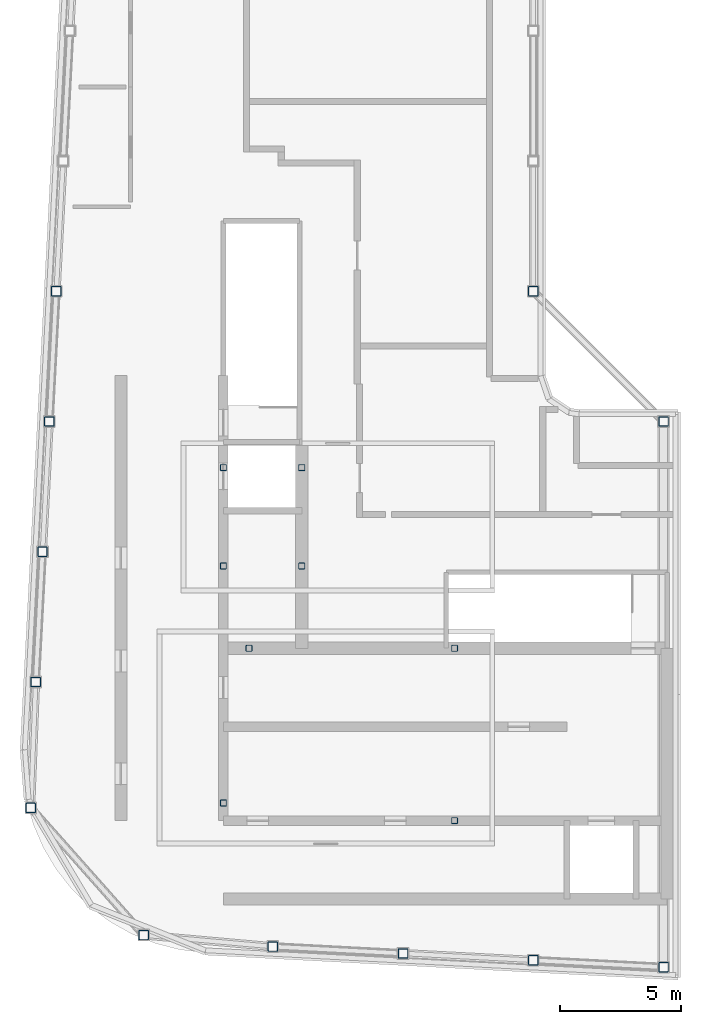
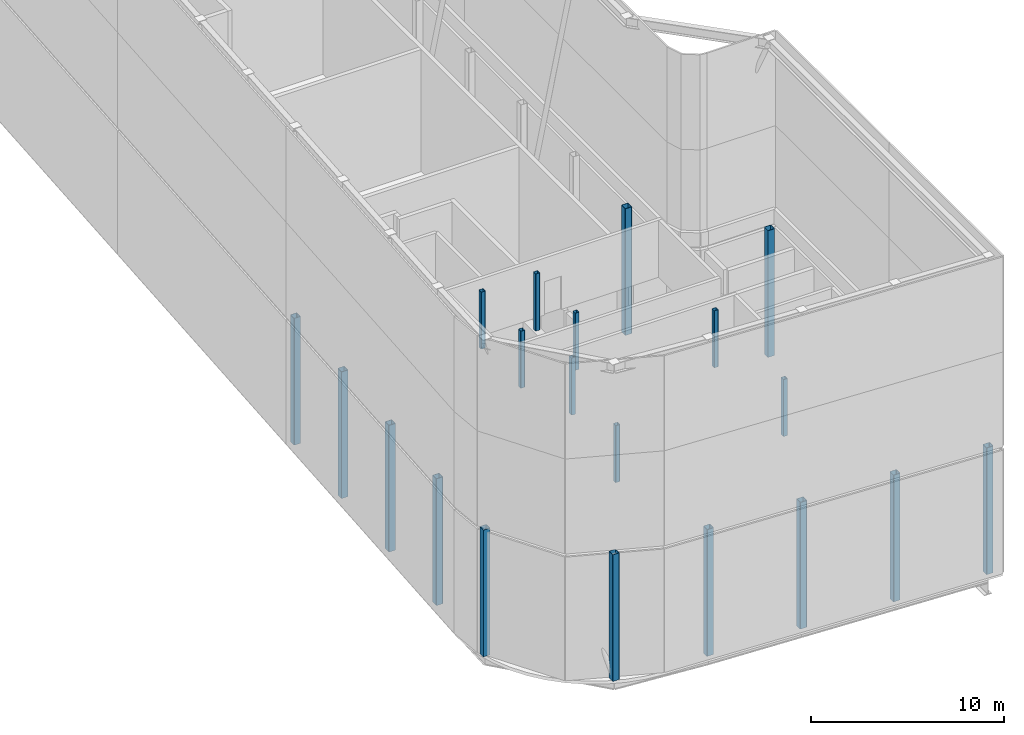
# One storey, part 1 of 7: 20 columns.
"""IFC4 building model written with IfcOpenShell, lengths in metres."""

from ifc_helpers import new_model, si_unit, direction, frame, origin, origin_2d, place, context, subcontext, project, spatial, hollow_rectangle, extrude, material, material_profile, profile_set, type_object, element, save


model = new_model("IFC4")

# Units and contexts
model_context = context("Model", 3, precision=1e-05, world=origin(), true_north=direction((0.0, 1.0)))
body_context = subcontext(model_context, "Body", "Model", "MODEL_VIEW")
ifc_project = project(units=[si_unit("LENGTHUNIT", "METRE"), si_unit("AREAUNIT", "SQUARE_METRE"), si_unit("VOLUMEUNIT", "CUBIC_METRE"), si_unit("PLANEANGLEUNIT", "RADIAN"), si_unit("MASSUNIT", "GRAM", prefix="KILO")], contexts=[model_context])

# Site, building, storey
site_placement = place(None, origin())
site = spatial("IfcSite", under=ifc_project, at=site_placement, CompositionType="ELEMENT")
building_placement = place(site_placement, origin())
building = spatial("IfcBuilding", under=site, at=building_placement, Name="Kheshtan School and Residences Tower", CompositionType="ELEMENT")
storey_placement = place(building_placement, frame((0.0, 0.0, 404.800048828125)))
storey = spatial("IfcBuildingStorey", under=building, at=storey_placement, Name="L94", CompositionType="ELEMENT", Elevation=404.800048828125)

# Columns
ifc_material = material(Name="Steel ASTM A500 Grade C", Category="steel")
ifc_material_profile_1 = material_profile(ifc_material, hollow_rectangle(XDim=0.406005859375, YDim=0.406005859375, WallThickness=0.01904296875, InnerFilletRadius=0.01904296875, OuterFilletRadius=0.0380859375, at=origin_2d()), Name="HSS 406x406x19")
ifc_profile_set_1 = profile_set([ifc_material_profile_1], Name="Steel ASTM A500 Grade C")
column_type_1 = type_object("IfcColumnType", Name="Column CF1 HSS 406x406x19 ASTM A500 Grade C", PredefinedType="COLUMN", material=ifc_profile_set_1)
for number, where, z_axis, x_axis, name in (
    (1, (53.0, 22.97998046875, 0.0), (0.0, 0.0, 1.0), (1.0, 0.0, 0.0), "Crown frame post C019"),
    (2, (47.60009765625, 23.263916015625, 0.0), (0.0, 0.0, 1.0), (1.0, 0.0, 0.0), "Crown frame post C020"),
    (3, (42.199951171875, 23.548095703125, 0.0), (0.0, 0.0, 1.0), (1.0, 0.0, 0.0), "Crown frame post C021"),
    (4, (36.800048828125, 23.83203125, 0.0), (0.0, 0.0, 1.0), (1.0, 0.0, 0.0), "Crown frame post C022"),
    (5, (31.447021484375, 24.31005859375, 0.0), (0.0, 0.0, 1.0), (1.0, 0.0, 0.0), "Crown frame post C034"),
    (6, (26.76708984375, 29.58203125, 0.0), (0.0, 0.0, 1.0), (1.0, 0.0, 0.0), "Crown frame post C048"),
    (7, (26.968994140625, 34.800048828125, 0.0), (0.0, 0.0, 1.0), (1.0, 0.0, 0.0), "Crown frame post C052"),
    (8, (27.2529296875, 40.199951171875, 0.0), (0.0, 0.0, 1.0), (1.0, 0.0, 0.0), "Crown frame post C056"),
    (9, (27.537109375, 45.60009765625, 0.0), (0.0, 0.0, 1.0), (1.0, 0.0, 0.0), "Crown frame post C059"),
    (10, (53.0, 45.60009765625, 0.0), (0.0, 0.0, 1.0), (1.0, 0.0, 0.0), "Crown frame post C061"),
    (11, (27.822021484375, 51.0, 0.0), (0.0, 0.0, 1.0), (1.0, 0.0, 0.0), "Crown frame post C078"),
    (12, (47.60009765625, 51.0, 0.0), (0.0, 0.0, 1.0), (1.0, 0.0, 0.0), "Crown frame post C079"),
):
    element("IfcColumn", number, at=place(storey_placement, frame(where, z_axis=z_axis, x_axis=x_axis)), inside=storey, type_object=column_type_1, Name=name, PredefinedType="COLUMN", context=body_context, shape_type="SweptSolid", body=[
        extrude(hollow_rectangle(XDim=0.406005859375, YDim=0.406005859375, WallThickness=0.01904296875, InnerFilletRadius=0.01904296875, OuterFilletRadius=0.0380859375, at=origin_2d()), origin(), (0.0, 0.0, 1.0), 8.0),
    ])
ifc_material_profile_2 = material_profile(ifc_material, hollow_rectangle(XDim=0.25390625, YDim=0.25390625, WallThickness=0.0126953125, InnerFilletRadius=0.0126953125, OuterFilletRadius=0.025390625, at=origin_2d()), Name="HSS 254x254x12.7")
ifc_profile_set_2 = profile_set([ifc_material_profile_2], Name="Steel ASTM A500 Grade C")
column_type_2 = type_object("IfcColumnType", Name="Column IC3 HSS 254x254x12.7 ASTM A500 Grade C", PredefinedType="COLUMN", material=ifc_profile_set_2)
for number, where, z_axis, x_axis, name in (
    (13, (44.3349609375, 36.199951171875, 8.0), (0.0, 0.0, 1.0), (1.0, 0.0, 0.0), "Plant room post"),
    (14, (34.75, 29.784912109375, 8.0), (0.0, 0.0, 1.0), (1.0, 0.0, 0.0), "Plant room post"),
    (15, (44.3349609375, 29.050048828125, 8.0), (0.0, 0.0, 1.0), (1.0, 0.0, 0.0), "Plant room post"),
    (16, (35.81494140625, 36.199951171875, 8.0), (0.0, 0.0, 1.0), (1.0, 0.0, 0.0), "Plant room post"),
    (17, (34.75, 39.610107421875, 8.0), (0.0, 0.0, 1.0), (1.0, 0.0, 0.0), "Plant room post"),
    (18, (38.0, 43.68994140625, 8.0), (0.0, 0.0, 1.0), (1.0, 0.0, 0.0), "Plant room post"),
    (19, (34.75, 43.68994140625, 8.0), (0.0, 0.0, 1.0), (1.0, 0.0, 0.0), "Plant room post"),
    (20, (38.0, 39.610107421875, 8.0), (0.0, 0.0, 1.0), (1.0, 0.0, 0.0), "Plant room post"),
):
    element("IfcColumn", number, at=place(storey_placement, frame(where, z_axis=z_axis, x_axis=x_axis)), inside=storey, type_object=column_type_2, Name=name, PredefinedType="COLUMN", context=body_context, shape_type="SweptSolid", body=[
        extrude(hollow_rectangle(XDim=0.25390625, YDim=0.25390625, WallThickness=0.0126953125, InnerFilletRadius=0.0126953125, OuterFilletRadius=0.025390625, at=origin_2d()), origin(), (0.0, 0.0, 1.0), 3.599853515625),
    ])

save(model, "model.ifc")
